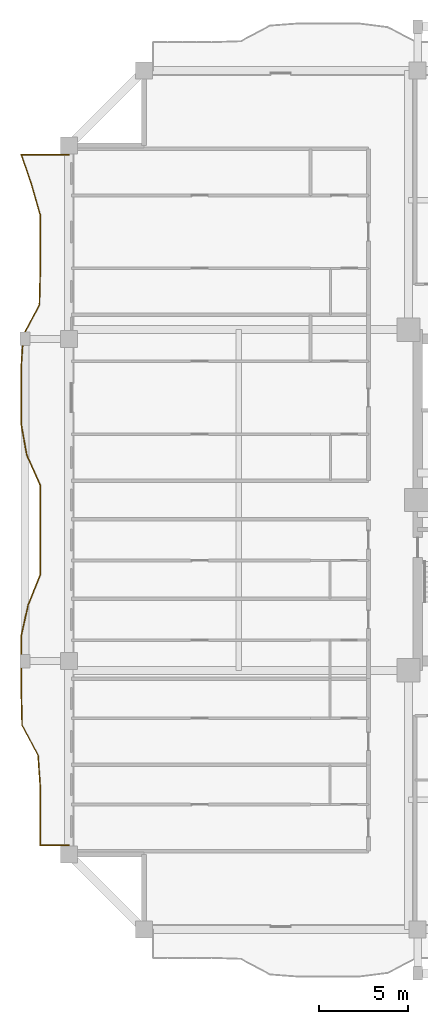
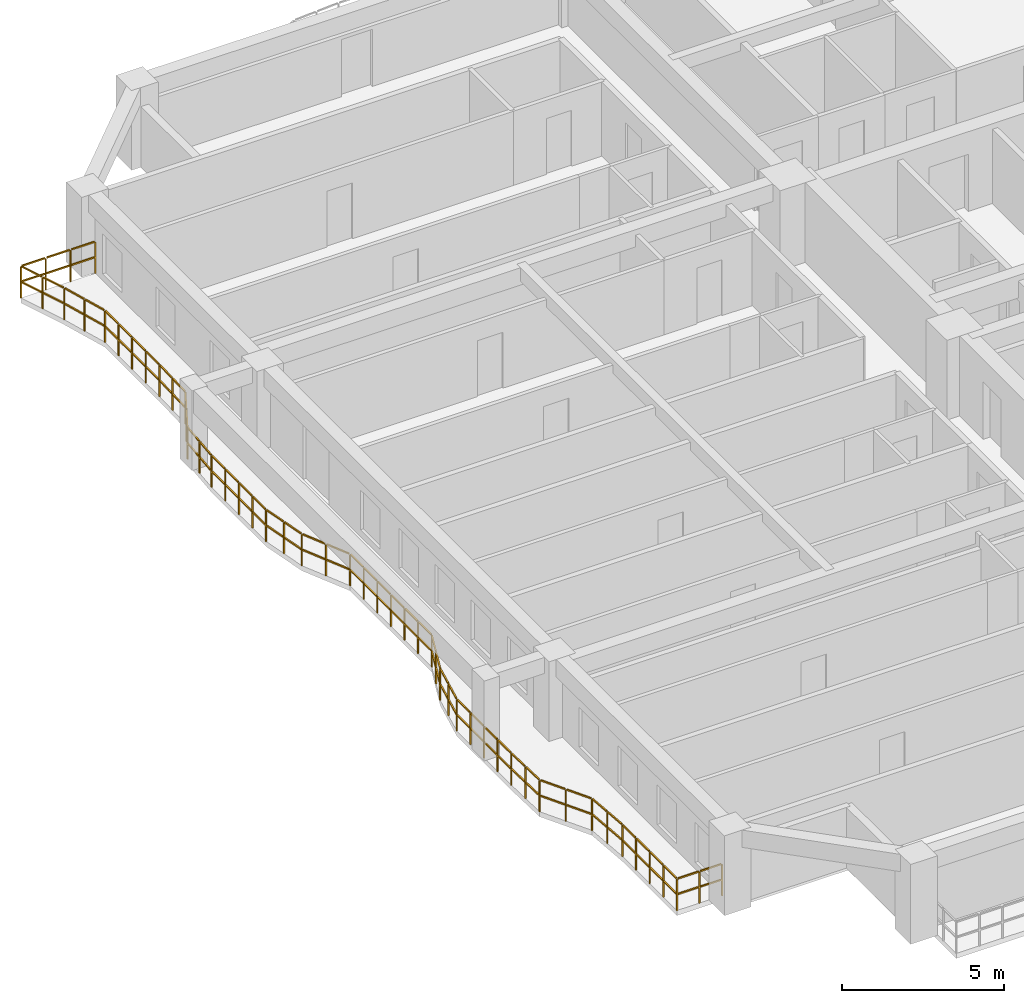
# One storey, part 10 of 13: 1 railing.
"""IFC4 building model written with IfcOpenShell, lengths in metres."""

from ifc_helpers import new_model, si_unit, direction, frame, origin, origin_2d, place, context, subcontext, project, spatial, rectangle, extrude, material, type_object, element, save


model = new_model("IFC4")

# Units and contexts
model_context = context("Model", 3, precision=1e-05, world=origin(), true_north=direction((0.0, 1.0)))
body_context = subcontext(model_context, "Body", "Model", "MODEL_VIEW")
ifc_project = project(units=[si_unit("LENGTHUNIT", "METRE"), si_unit("AREAUNIT", "SQUARE_METRE"), si_unit("VOLUMEUNIT", "CUBIC_METRE"), si_unit("PLANEANGLEUNIT", "RADIAN"), si_unit("MASSUNIT", "GRAM", prefix="KILO")], contexts=[model_context])

# Site, building, storey
site_placement = place(None, origin())
site = spatial("IfcSite", under=ifc_project, at=site_placement, CompositionType="ELEMENT")
building_placement = place(site_placement, origin())
building = spatial("IfcBuilding", under=site, at=building_placement, Name="Saelheon Loggia Tower", CompositionType="ELEMENT")
storey_placement = place(building_placement, frame((0.0, 0.0, 129.75)))
storey = spatial("IfcBuildingStorey", under=building, at=storey_placement, Name="L41", CompositionType="ELEMENT", Elevation=129.75)

# Railing
ifc_material = material(Name="Architectural Precast Concrete and Laminated Glass Guard", Category="concrete")
railing_type = type_object("IfcRailingType", Name="Guard_Loggia_RL_LOG", PredefinedType="BALUSTRADE", material=ifc_material)
railing_placement = place(storey_placement, frame((12.0, 46.300048828125, 0.0)))
element("IfcRailing", 1, at=railing_placement, inside=storey, type_object=railing_type, Name="L41 West Loggia Balustrade", PredefinedType="BALUSTRADE", context=body_context, shape_type="SweptSolid", body=[
    extrude(rectangle(XDim=0.048095703125, YDim=0.048095703125, at=origin_2d()), frame((-0.033203125, 0.0, 1.19580078125), z_axis=(-1.0, 0.0, 0.0), x_axis=(0.0, -1.0, 0.0)), (0.0, 0.0, 1.0), 0.81689453125),
    extrude(rectangle(XDim=0.048095703125, YDim=0.048095703125, at=origin_2d()), frame((-0.033203125, 0.0, 0.60986328125), z_axis=(-1.0, 0.0, 0.0), x_axis=(0.0, -1.0, 0.0)), (0.0, 0.0, 1.0), 0.81689453125),
    extrude(rectangle(XDim=0.048095703125, YDim=0.048095703125, at=origin_2d()), frame((-0.91650390625, 0.0, 1.19580078125), z_axis=(-1.0, 0.0, 0.0), x_axis=(0.0, -1.0, 0.0)), (0.0, 0.0, 1.0), 0.81689453125),
    extrude(rectangle(XDim=0.048095703125, YDim=0.048095703125, at=origin_2d()), frame((-0.91650390625, 0.0, 0.60986328125), z_axis=(-1.0, 0.0, 0.0), x_axis=(0.0, -1.0, 0.0)), (0.0, 0.0, 1.0), 0.81689453125),
    extrude(rectangle(XDim=0.048095703125, YDim=0.048095703125, at=origin_2d()), frame((-1.7998046875, 0.0, 1.19580078125), z_axis=(-1.0, 0.0, 0.0), x_axis=(0.0, -1.0, 0.0)), (0.0, 0.0, 1.0), 0.81689453125),
    extrude(rectangle(XDim=0.048095703125, YDim=0.048095703125, at=origin_2d()), frame((-1.7998046875, 0.0, 0.60986328125), z_axis=(-1.0, 0.0, 0.0), x_axis=(0.0, -1.0, 0.0)), (0.0, 0.0, 1.0), 0.81689453125),
    extrude(rectangle(XDim=0.048095703125, YDim=0.048095703125, at=origin_2d()), frame((-2.63916015625, -0.031494140625, 1.19580078125), z_axis=(0.321347076039, -0.946961486398, 0.0), x_axis=(0.946961486398, 0.321347076039, 0.0)), (0.0, 0.0, 1.0), 0.81982421875),
    extrude(rectangle(XDim=0.048095703125, YDim=0.048095703125, at=origin_2d()), frame((-2.63916015625, -0.031494140625, 0.60986328125), z_axis=(0.321347076039, -0.946961486398, 0.0), x_axis=(0.946961486398, 0.321347076039, 0.0)), (0.0, 0.0, 1.0), 0.81982421875),
    extrude(rectangle(XDim=0.048095703125, YDim=0.048095703125, at=origin_2d()), frame((-2.3544921875, -0.87060546875, 1.19580078125), z_axis=(0.321347076039, -0.946961486398, 0.0), x_axis=(0.946961486398, 0.321347076039, 0.0)), (0.0, 0.0, 1.0), 0.81982421875),
    extrude(rectangle(XDim=0.048095703125, YDim=0.048095703125, at=origin_2d()), frame((-2.3544921875, -0.87060546875, 0.60986328125), z_axis=(0.321347076039, -0.946961486398, 0.0), x_axis=(0.946961486398, 0.321347076039, 0.0)), (0.0, 0.0, 1.0), 0.81982421875),
    extrude(rectangle(XDim=0.048095703125, YDim=0.048095703125, at=origin_2d()), frame((-2.0712890625, -1.71044921875, 1.19580078125), z_axis=(0.275146022747, -0.961402447556, 0.0), x_axis=(0.961402447556, 0.275146022747, 0.0)), (0.0, 0.0, 1.0), 0.80615234375),
    extrude(rectangle(XDim=0.048095703125, YDim=0.048095703125, at=origin_2d()), frame((-2.0712890625, -1.71044921875, 0.60986328125), z_axis=(0.275146022747, -0.961402447556, 0.0), x_axis=(0.961402447556, 0.275146022747, 0.0)), (0.0, 0.0, 1.0), 0.80615234375),
    extrude(rectangle(XDim=0.048095703125, YDim=0.048095703125, at=origin_2d()), frame((-1.8310546875, -2.54931640625, 1.19580078125), z_axis=(0.275146022747, -0.961402447556, 0.0), x_axis=(0.961402447556, 0.275146022747, 0.0)), (0.0, 0.0, 1.0), 0.80615234375),
    extrude(rectangle(XDim=0.048095703125, YDim=0.048095703125, at=origin_2d()), frame((-1.8310546875, -2.54931640625, 0.60986328125), z_axis=(0.275146022747, -0.961402447556, 0.0), x_axis=(0.961402447556, 0.275146022747, 0.0)), (0.0, 0.0, 1.0), 0.80615234375),
    extrude(rectangle(XDim=0.048095703125, YDim=0.048095703125, at=origin_2d()), frame((-1.60009765625, -3.3896484375, 1.19580078125), z_axis=(0.0, -1.0, 0.0), x_axis=(1.0, 0.0, 0.0)), (0.0, 0.0, 1.0), 0.772705078125),
    extrude(rectangle(XDim=0.048095703125, YDim=0.048095703125, at=origin_2d()), frame((-1.60009765625, -3.3896484375, 0.60986328125), z_axis=(0.0, -1.0, 0.0), x_axis=(1.0, 0.0, 0.0)), (0.0, 0.0, 1.0), 0.772705078125),
    extrude(rectangle(XDim=0.048095703125, YDim=0.048095703125, at=origin_2d()), frame((-1.60009765625, -4.22900390625, 1.19580078125), z_axis=(0.0, -1.0, 0.0), x_axis=(1.0, 0.0, 0.0)), (0.0, 0.0, 1.0), 0.772705078125),
    extrude(rectangle(XDim=0.048095703125, YDim=0.048095703125, at=origin_2d()), frame((-1.60009765625, -4.22900390625, 0.60986328125), z_axis=(0.0, -1.0, 0.0), x_axis=(1.0, 0.0, 0.0)), (0.0, 0.0, 1.0), 0.772705078125),
    extrude(rectangle(XDim=0.048095703125, YDim=0.048095703125, at=origin_2d()), frame((-1.60009765625, -5.068115234375, 1.19580078125), z_axis=(0.0, -1.0, 0.0), x_axis=(1.0, 0.0, 0.0)), (0.0, 0.0, 1.0), 0.772705078125),
    extrude(rectangle(XDim=0.048095703125, YDim=0.048095703125, at=origin_2d()), frame((-1.60009765625, -5.068115234375, 0.60986328125), z_axis=(0.0, -1.0, 0.0), x_axis=(1.0, 0.0, 0.0)), (0.0, 0.0, 1.0), 0.772705078125),
    extrude(rectangle(XDim=0.048095703125, YDim=0.048095703125, at=origin_2d()), frame((-1.60009765625, -5.9072265625, 1.19580078125), z_axis=(0.0, -1.0, 0.0), x_axis=(1.0, 0.0, 0.0)), (0.0, 0.0, 1.0), 0.772705078125),
    extrude(rectangle(XDim=0.048095703125, YDim=0.048095703125, at=origin_2d()), frame((-1.60009765625, -5.9072265625, 0.60986328125), z_axis=(0.0, -1.0, 0.0), x_axis=(1.0, 0.0, 0.0)), (0.0, 0.0, 1.0), 0.772705078125),
    extrude(rectangle(XDim=0.048095703125, YDim=0.048095703125, at=origin_2d()), frame((-1.600830078125, -6.746337890625, 1.19580078125), z_axis=(-0.024723310515, -0.999694332242, 0.0), x_axis=(0.999694332242, -0.024723310515, 0.0)), (0.0, 0.0, 1.0), 0.77294921875),
    extrude(rectangle(XDim=0.048095703125, YDim=0.048095703125, at=origin_2d()), frame((-1.600830078125, -6.746337890625, 0.60986328125), z_axis=(-0.024723310515, -0.999694332242, 0.0), x_axis=(0.999694332242, -0.024723310515, 0.0)), (0.0, 0.0, 1.0), 0.77294921875),
    extrude(rectangle(XDim=0.048095703125, YDim=0.048095703125, at=origin_2d()), frame((-1.62158203125, -7.58544921875, 1.19580078125), z_axis=(-0.024723310515, -0.999694332242, 0.0), x_axis=(0.999694332242, -0.024723310515, 0.0)), (0.0, 0.0, 1.0), 0.77294921875),
    extrude(rectangle(XDim=0.048095703125, YDim=0.048095703125, at=origin_2d()), frame((-1.62158203125, -7.58544921875, 0.60986328125), z_axis=(-0.024723310515, -0.999694332242, 0.0), x_axis=(0.999694332242, -0.024723310515, 0.0)), (0.0, 0.0, 1.0), 0.77294921875),
    extrude(rectangle(XDim=0.048095703125, YDim=0.048095703125, at=origin_2d()), frame((-1.6572265625, -8.420654296875, 1.19580078125), z_axis=(-0.470275016821, -0.882519919636, 0.0), x_axis=(0.882519919636, -0.470275016821, 0.0)), (0.0, 0.0, 1.0), 0.88427734375),
    extrude(rectangle(XDim=0.048095703125, YDim=0.048095703125, at=origin_2d()), frame((-1.6572265625, -8.420654296875, 0.60986328125), z_axis=(-0.470275016821, -0.882519919636, 0.0), x_axis=(0.882519919636, -0.470275016821, 0.0)), (0.0, 0.0, 1.0), 0.88427734375),
    extrude(rectangle(XDim=0.048095703125, YDim=0.048095703125, at=origin_2d()), frame((-2.1044921875, -9.259765625, 1.19580078125), z_axis=(-0.470275016821, -0.882519919636, 0.0), x_axis=(0.882519919636, -0.470275016821, 0.0)), (0.0, 0.0, 1.0), 0.88427734375),
    extrude(rectangle(XDim=0.048095703125, YDim=0.048095703125, at=origin_2d()), frame((-2.1044921875, -9.259765625, 0.60986328125), z_axis=(-0.470275016821, -0.882519919636, 0.0), x_axis=(0.882519919636, -0.470275016821, 0.0)), (0.0, 0.0, 1.0), 0.88427734375),
    extrude(rectangle(XDim=0.048095703125, YDim=0.048095703125, at=origin_2d()), frame((-2.5380859375, -10.102783203125, 1.19580078125), z_axis=(-0.06778091462, -0.997700229334, 0.0), x_axis=(0.997700229334, -0.06778091462, 0.0)), (0.0, 0.0, 1.0), 0.774658203125),
    extrude(rectangle(XDim=0.048095703125, YDim=0.048095703125, at=origin_2d()), frame((-2.5380859375, -10.102783203125, 0.60986328125), z_axis=(-0.06778091462, -0.997700229334, 0.0), x_axis=(0.997700229334, -0.06778091462, 0.0)), (0.0, 0.0, 1.0), 0.774658203125),
    extrude(rectangle(XDim=0.048095703125, YDim=0.048095703125, at=origin_2d()), frame((-2.59521484375, -10.94189453125, 1.19580078125), z_axis=(-0.06778091462, -0.997700229334, 0.0), x_axis=(0.997700229334, -0.06778091462, 0.0)), (0.0, 0.0, 1.0), 0.774658203125),
    extrude(rectangle(XDim=0.048095703125, YDim=0.048095703125, at=origin_2d()), frame((-2.59521484375, -10.94189453125, 0.60986328125), z_axis=(-0.06778091462, -0.997700229334, 0.0), x_axis=(0.997700229334, -0.06778091462, 0.0)), (0.0, 0.0, 1.0), 0.774658203125),
    extrude(rectangle(XDim=0.048095703125, YDim=0.048095703125, at=origin_2d()), frame((-2.64990234375, -11.781005859375, 1.19580078125), z_axis=(0.0, -1.0, 0.0), x_axis=(1.0, 0.0, 0.0)), (0.0, 0.0, 1.0), 0.772705078125),
    extrude(rectangle(XDim=0.048095703125, YDim=0.048095703125, at=origin_2d()), frame((-2.64990234375, -11.781005859375, 0.60986328125), z_axis=(0.0, -1.0, 0.0), x_axis=(1.0, 0.0, 0.0)), (0.0, 0.0, 1.0), 0.772705078125),
    extrude(rectangle(XDim=0.048095703125, YDim=0.048095703125, at=origin_2d()), frame((-2.64990234375, -12.620361328125, 1.19580078125), z_axis=(0.0, -1.0, 0.0), x_axis=(1.0, 0.0, 0.0)), (0.0, 0.0, 1.0), 0.772705078125),
    extrude(rectangle(XDim=0.048095703125, YDim=0.048095703125, at=origin_2d()), frame((-2.64990234375, -12.620361328125, 0.60986328125), z_axis=(0.0, -1.0, 0.0), x_axis=(1.0, 0.0, 0.0)), (0.0, 0.0, 1.0), 0.772705078125),
    extrude(rectangle(XDim=0.048095703125, YDim=0.048095703125, at=origin_2d()), frame((-2.64990234375, -13.45947265625, 1.19580078125), z_axis=(0.0, -1.0, 0.0), x_axis=(1.0, 0.0, 0.0)), (0.0, 0.0, 1.0), 0.7724609375),
    extrude(rectangle(XDim=0.048095703125, YDim=0.048095703125, at=origin_2d()), frame((-2.64990234375, -13.45947265625, 0.60986328125), z_axis=(0.0, -1.0, 0.0), x_axis=(1.0, 0.0, 0.0)), (0.0, 0.0, 1.0), 0.7724609375),
    extrude(rectangle(XDim=0.048095703125, YDim=0.048095703125, at=origin_2d()), frame((-2.64990234375, -14.298583984375, 1.19580078125), z_axis=(0.0, -1.0, 0.0), x_axis=(1.0, 0.0, 0.0)), (0.0, 0.0, 1.0), 0.7724609375),
    extrude(rectangle(XDim=0.048095703125, YDim=0.048095703125, at=origin_2d()), frame((-2.64990234375, -14.298583984375, 0.60986328125), z_axis=(0.0, -1.0, 0.0), x_axis=(1.0, 0.0, 0.0)), (0.0, 0.0, 1.0), 0.7724609375),
    extrude(rectangle(XDim=0.048095703125, YDim=0.048095703125, at=origin_2d()), frame((-2.64404296875, -15.136962890625, 1.19580078125), z_axis=(0.176390201741, -0.984320322217, 0.0), x_axis=(0.984320322217, 0.176390201741, 0.0)), (0.0, 0.0, 1.0), 0.7861328125),
    extrude(rectangle(XDim=0.048095703125, YDim=0.048095703125, at=origin_2d()), frame((-2.64404296875, -15.136962890625, 0.60986328125), z_axis=(0.176390201741, -0.984320322217, 0.0), x_axis=(0.984320322217, 0.176390201741, 0.0)), (0.0, 0.0, 1.0), 0.7861328125),
    extrude(rectangle(XDim=0.048095703125, YDim=0.048095703125, at=origin_2d()), frame((-2.49365234375, -15.97607421875, 1.19580078125), z_axis=(0.176390201741, -0.984320322217, 0.0), x_axis=(0.984320322217, 0.176390201741, 0.0)), (0.0, 0.0, 1.0), 0.7861328125),
    extrude(rectangle(XDim=0.048095703125, YDim=0.048095703125, at=origin_2d()), frame((-2.49365234375, -15.97607421875, 0.60986328125), z_axis=(0.176390201741, -0.984320322217, 0.0), x_axis=(0.984320322217, 0.176390201741, 0.0)), (0.0, 0.0, 1.0), 0.7861328125),
    extrude(rectangle(XDim=0.048095703125, YDim=0.048095703125, at=origin_2d()), frame((-2.335693359375, -16.81298828125, 1.19580078125), z_axis=(0.407567762137, -0.913174966404, 0.0), x_axis=(0.913174966404, 0.407567762137, 0.0)), (0.0, 0.0, 1.0), 0.8525390625),
    extrude(rectangle(XDim=0.048095703125, YDim=0.048095703125, at=origin_2d()), frame((-2.335693359375, -16.81298828125, 0.60986328125), z_axis=(0.407567762137, -0.913174966404, 0.0), x_axis=(0.913174966404, 0.407567762137, 0.0)), (0.0, 0.0, 1.0), 0.8525390625),
    extrude(rectangle(XDim=0.048095703125, YDim=0.048095703125, at=origin_2d()), frame((-1.961181640625, -17.652099609375, 1.19580078125), z_axis=(0.407567762137, -0.913174966404, 0.0), x_axis=(0.913174966404, 0.407567762137, 0.0)), (0.0, 0.0, 1.0), 0.8525390625),
    extrude(rectangle(XDim=0.048095703125, YDim=0.048095703125, at=origin_2d()), frame((-1.961181640625, -17.652099609375, 0.60986328125), z_axis=(0.407567762137, -0.913174966404, 0.0), x_axis=(0.913174966404, 0.407567762137, 0.0)), (0.0, 0.0, 1.0), 0.8525390625),
    extrude(rectangle(XDim=0.048095703125, YDim=0.048095703125, at=origin_2d()), frame((-1.60009765625, -18.494140625, 1.19580078125), z_axis=(0.0, -1.0, 0.0), x_axis=(1.0, 0.0, 0.0)), (0.0, 0.0, 1.0), 0.772705078125),
    extrude(rectangle(XDim=0.048095703125, YDim=0.048095703125, at=origin_2d()), frame((-1.60009765625, -18.494140625, 0.60986328125), z_axis=(0.0, -1.0, 0.0), x_axis=(1.0, 0.0, 0.0)), (0.0, 0.0, 1.0), 0.772705078125),
    extrude(rectangle(XDim=0.048095703125, YDim=0.048095703125, at=origin_2d()), frame((-1.60009765625, -19.333251953125, 1.19580078125), z_axis=(0.0, -1.0, 0.0), x_axis=(1.0, 0.0, 0.0)), (0.0, 0.0, 1.0), 0.772705078125),
    extrude(rectangle(XDim=0.048095703125, YDim=0.048095703125, at=origin_2d()), frame((-1.60009765625, -19.333251953125, 0.60986328125), z_axis=(0.0, -1.0, 0.0), x_axis=(1.0, 0.0, 0.0)), (0.0, 0.0, 1.0), 0.772705078125),
    extrude(rectangle(XDim=0.048095703125, YDim=0.048095703125, at=origin_2d()), frame((-1.60009765625, -20.17236328125, 1.19580078125), z_axis=(0.0, -1.0, 0.0), x_axis=(1.0, 0.0, 0.0)), (0.0, 0.0, 1.0), 0.772705078125),
    extrude(rectangle(XDim=0.048095703125, YDim=0.048095703125, at=origin_2d()), frame((-1.60009765625, -20.17236328125, 0.60986328125), z_axis=(0.0, -1.0, 0.0), x_axis=(1.0, 0.0, 0.0)), (0.0, 0.0, 1.0), 0.772705078125),
    extrude(rectangle(XDim=0.048095703125, YDim=0.048095703125, at=origin_2d()), frame((-1.60009765625, -21.011474609375, 1.19580078125), z_axis=(0.0, -1.0, 0.0), x_axis=(1.0, 0.0, 0.0)), (0.0, 0.0, 1.0), 0.772705078125),
    extrude(rectangle(XDim=0.048095703125, YDim=0.048095703125, at=origin_2d()), frame((-1.60009765625, -21.011474609375, 0.60986328125), z_axis=(0.0, -1.0, 0.0), x_axis=(1.0, 0.0, 0.0)), (0.0, 0.0, 1.0), 0.772705078125),
    extrude(rectangle(XDim=0.048095703125, YDim=0.048095703125, at=origin_2d()), frame((-1.60009765625, -21.8505859375, 1.19580078125), z_axis=(0.0, -1.0, 0.0), x_axis=(1.0, 0.0, 0.0)), (0.0, 0.0, 1.0), 0.772705078125),
    extrude(rectangle(XDim=0.048095703125, YDim=0.048095703125, at=origin_2d()), frame((-1.60009765625, -21.8505859375, 0.60986328125), z_axis=(0.0, -1.0, 0.0), x_axis=(1.0, 0.0, 0.0)), (0.0, 0.0, 1.0), 0.772705078125),
    extrude(rectangle(XDim=0.048095703125, YDim=0.048095703125, at=origin_2d()), frame((-1.60009765625, -22.68994140625, 1.19580078125), z_axis=(0.0, -1.0, 0.0), x_axis=(1.0, 0.0, 0.0)), (0.0, 0.0, 1.0), 0.772705078125),
    extrude(rectangle(XDim=0.048095703125, YDim=0.048095703125, at=origin_2d()), frame((-1.60009765625, -22.68994140625, 0.60986328125), z_axis=(0.0, -1.0, 0.0), x_axis=(1.0, 0.0, 0.0)), (0.0, 0.0, 1.0), 0.772705078125),
    extrude(rectangle(XDim=0.048095703125, YDim=0.048095703125, at=origin_2d()), frame((-1.612548828125, -23.526611328125, 1.19580078125), z_axis=(-0.371483836575, -0.928439421375, 0.0), x_axis=(0.928439421375, -0.371483836575, 0.0)), (0.0, 0.0, 1.0), 0.837158203125),
    extrude(rectangle(XDim=0.048095703125, YDim=0.048095703125, at=origin_2d()), frame((-1.612548828125, -23.526611328125, 0.60986328125), z_axis=(-0.371483836575, -0.928439421375, 0.0), x_axis=(0.928439421375, -0.371483836575, 0.0)), (0.0, 0.0, 1.0), 0.837158203125),
    extrude(rectangle(XDim=0.048095703125, YDim=0.048095703125, at=origin_2d()), frame((-1.9482421875, -24.36572265625, 1.19580078125), z_axis=(-0.371483836575, -0.928439421375, 0.0), x_axis=(0.928439421375, -0.371483836575, 0.0)), (0.0, 0.0, 1.0), 0.837158203125),
    extrude(rectangle(XDim=0.048095703125, YDim=0.048095703125, at=origin_2d()), frame((-1.9482421875, -24.36572265625, 0.60986328125), z_axis=(-0.371483836575, -0.928439421375, 0.0), x_axis=(0.928439421375, -0.371483836575, 0.0)), (0.0, 0.0, 1.0), 0.837158203125),
    extrude(rectangle(XDim=0.048095703125, YDim=0.048095703125, at=origin_2d()), frame((-2.27880859375, -25.206298828125, 1.19580078125), z_axis=(-0.219934224099, -0.975514703667, 0.0), x_axis=(0.975514703667, -0.219934224099, 0.0)), (0.0, 0.0, 1.0), 0.7939453125),
    extrude(rectangle(XDim=0.048095703125, YDim=0.048095703125, at=origin_2d()), frame((-2.27880859375, -25.206298828125, 0.60986328125), z_axis=(-0.219934224099, -0.975514703667, 0.0), x_axis=(0.975514703667, -0.219934224099, 0.0)), (0.0, 0.0, 1.0), 0.7939453125),
    extrude(rectangle(XDim=0.048095703125, YDim=0.048095703125, at=origin_2d()), frame((-2.468017578125, -26.04541015625, 1.19580078125), z_axis=(-0.219934224099, -0.975514703667, 0.0), x_axis=(0.975514703667, -0.219934224099, 0.0)), (0.0, 0.0, 1.0), 0.7939453125),
    extrude(rectangle(XDim=0.048095703125, YDim=0.048095703125, at=origin_2d()), frame((-2.468017578125, -26.04541015625, 0.60986328125), z_axis=(-0.219934224099, -0.975514703667, 0.0), x_axis=(0.975514703667, -0.219934224099, 0.0)), (0.0, 0.0, 1.0), 0.7939453125),
    extrude(rectangle(XDim=0.048095703125, YDim=0.048095703125, at=origin_2d()), frame((-2.64990234375, -26.885498046875, 1.19580078125), z_axis=(0.0, -1.0, 0.0), x_axis=(1.0, 0.0, 0.0)), (0.0, 0.0, 1.0), 0.772705078125),
    extrude(rectangle(XDim=0.048095703125, YDim=0.048095703125, at=origin_2d()), frame((-2.64990234375, -26.885498046875, 0.60986328125), z_axis=(0.0, -1.0, 0.0), x_axis=(1.0, 0.0, 0.0)), (0.0, 0.0, 1.0), 0.772705078125),
    extrude(rectangle(XDim=0.048095703125, YDim=0.048095703125, at=origin_2d()), frame((-2.64990234375, -27.724609375, 1.19580078125), z_axis=(0.0, -1.0, 0.0), x_axis=(1.0, 0.0, 0.0)), (0.0, 0.0, 1.0), 0.772705078125),
    extrude(rectangle(XDim=0.048095703125, YDim=0.048095703125, at=origin_2d()), frame((-2.64990234375, -27.724609375, 0.60986328125), z_axis=(0.0, -1.0, 0.0), x_axis=(1.0, 0.0, 0.0)), (0.0, 0.0, 1.0), 0.772705078125),
    extrude(rectangle(XDim=0.048095703125, YDim=0.048095703125, at=origin_2d()), frame((-2.64990234375, -28.563720703125, 1.19580078125), z_axis=(0.0, -1.0, 0.0), x_axis=(1.0, 0.0, 0.0)), (0.0, 0.0, 1.0), 0.772705078125),
    extrude(rectangle(XDim=0.048095703125, YDim=0.048095703125, at=origin_2d()), frame((-2.64990234375, -28.563720703125, 0.60986328125), z_axis=(0.0, -1.0, 0.0), x_axis=(1.0, 0.0, 0.0)), (0.0, 0.0, 1.0), 0.772705078125),
    extrude(rectangle(XDim=0.048095703125, YDim=0.048095703125, at=origin_2d()), frame((-2.64990234375, -29.40283203125, 1.19580078125), z_axis=(0.0, -1.0, 0.0), x_axis=(1.0, 0.0, 0.0)), (0.0, 0.0, 1.0), 0.772705078125),
    extrude(rectangle(XDim=0.048095703125, YDim=0.048095703125, at=origin_2d()), frame((-2.64990234375, -29.40283203125, 0.60986328125), z_axis=(0.0, -1.0, 0.0), x_axis=(1.0, 0.0, 0.0)), (0.0, 0.0, 1.0), 0.772705078125),
    extrude(rectangle(XDim=0.048095703125, YDim=0.048095703125, at=origin_2d()), frame((-2.649169921875, -30.241943359375, 1.19580078125), z_axis=(0.023851228559, -0.999715518983, 0.0), x_axis=(0.999715518983, 0.023851228559, 0.0)), (0.0, 0.0, 1.0), 0.77294921875),
    extrude(rectangle(XDim=0.048095703125, YDim=0.048095703125, at=origin_2d()), frame((-2.649169921875, -30.241943359375, 0.60986328125), z_axis=(0.023851228559, -0.999715518983, 0.0), x_axis=(0.999715518983, 0.023851228559, 0.0)), (0.0, 0.0, 1.0), 0.77294921875),
    extrude(rectangle(XDim=0.048095703125, YDim=0.048095703125, at=origin_2d()), frame((-2.629150390625, -31.0810546875, 1.19580078125), z_axis=(0.023851228559, -0.999715518983, 0.0), x_axis=(0.999715518983, 0.023851228559, 0.0)), (0.0, 0.0, 1.0), 0.77294921875),
    extrude(rectangle(XDim=0.048095703125, YDim=0.048095703125, at=origin_2d()), frame((-2.629150390625, -31.0810546875, 0.60986328125), z_axis=(0.023851228559, -0.999715518983, 0.0), x_axis=(0.999715518983, 0.023851228559, 0.0)), (0.0, 0.0, 1.0), 0.77294921875),
    extrude(rectangle(XDim=0.048095703125, YDim=0.048095703125, at=origin_2d()), frame((-2.59423828125, -31.916259765625, 1.19580078125), z_axis=(0.4706748388, -0.882306747181, 0.0), x_axis=(0.882306747181, 0.4706748388, 0.0)), (0.0, 0.0, 1.0), 0.884521484375),
    extrude(rectangle(XDim=0.048095703125, YDim=0.048095703125, at=origin_2d()), frame((-2.59423828125, -31.916259765625, 0.60986328125), z_axis=(0.4706748388, -0.882306747181, 0.0), x_axis=(0.882306747181, 0.4706748388, 0.0)), (0.0, 0.0, 1.0), 0.884521484375),
    extrude(rectangle(XDim=0.048095703125, YDim=0.048095703125, at=origin_2d()), frame((-2.146484375, -32.75537109375, 1.19580078125), z_axis=(0.4706748388, -0.882306747181, 0.0), x_axis=(0.882306747181, 0.4706748388, 0.0)), (0.0, 0.0, 1.0), 0.884521484375),
    extrude(rectangle(XDim=0.048095703125, YDim=0.048095703125, at=origin_2d()), frame((-2.146484375, -32.75537109375, 0.60986328125), z_axis=(0.4706748388, -0.882306747181, 0.0), x_axis=(0.882306747181, 0.4706748388, 0.0)), (0.0, 0.0, 1.0), 0.884521484375),
    extrude(rectangle(XDim=0.048095703125, YDim=0.048095703125, at=origin_2d()), frame((-1.71240234375, -33.598388671875, 1.19580078125), z_axis=(0.068059999537, -0.997681229884, 0.0), x_axis=(0.997681229884, 0.068059999537, 0.0)), (0.0, 0.0, 1.0), 0.774658203125),
    extrude(rectangle(XDim=0.048095703125, YDim=0.048095703125, at=origin_2d()), frame((-1.71240234375, -33.598388671875, 0.60986328125), z_axis=(0.068059999537, -0.997681229884, 0.0), x_axis=(0.997681229884, 0.068059999537, 0.0)), (0.0, 0.0, 1.0), 0.774658203125),
    extrude(rectangle(XDim=0.048095703125, YDim=0.048095703125, at=origin_2d()), frame((-1.655029296875, -34.4375, 1.19580078125), z_axis=(0.068059999537, -0.997681229884, 0.0), x_axis=(0.997681229884, 0.068059999537, 0.0)), (0.0, 0.0, 1.0), 0.774658203125),
    extrude(rectangle(XDim=0.048095703125, YDim=0.048095703125, at=origin_2d()), frame((-1.655029296875, -34.4375, 0.60986328125), z_axis=(0.068059999537, -0.997681229884, 0.0), x_axis=(0.997681229884, 0.068059999537, 0.0)), (0.0, 0.0, 1.0), 0.774658203125),
    extrude(rectangle(XDim=0.048095703125, YDim=0.048095703125, at=origin_2d()), frame((-1.60009765625, -35.27685546875, 1.19580078125), z_axis=(0.0, -1.0, 0.0), x_axis=(1.0, 0.0, 0.0)), (0.0, 0.0, 1.0), 0.7724609375),
    extrude(rectangle(XDim=0.048095703125, YDim=0.048095703125, at=origin_2d()), frame((-1.60009765625, -35.27685546875, 0.60986328125), z_axis=(0.0, -1.0, 0.0), x_axis=(1.0, 0.0, 0.0)), (0.0, 0.0, 1.0), 0.7724609375),
    extrude(rectangle(XDim=0.048095703125, YDim=0.048095703125, at=origin_2d()), frame((-1.60009765625, -36.115966796875, 1.19580078125), z_axis=(0.0, -1.0, 0.0), x_axis=(1.0, 0.0, 0.0)), (0.0, 0.0, 1.0), 0.7724609375),
    extrude(rectangle(XDim=0.048095703125, YDim=0.048095703125, at=origin_2d()), frame((-1.60009765625, -36.115966796875, 0.60986328125), z_axis=(0.0, -1.0, 0.0), x_axis=(1.0, 0.0, 0.0)), (0.0, 0.0, 1.0), 0.7724609375),
    extrude(rectangle(XDim=0.048095703125, YDim=0.048095703125, at=origin_2d()), frame((-1.60009765625, -36.954833984375, 1.19580078125), z_axis=(0.0, -1.0, 0.0), x_axis=(1.0, 0.0, 0.0)), (0.0, 0.0, 1.0), 0.772705078125),
    extrude(rectangle(XDim=0.048095703125, YDim=0.048095703125, at=origin_2d()), frame((-1.60009765625, -36.954833984375, 0.60986328125), z_axis=(0.0, -1.0, 0.0), x_axis=(1.0, 0.0, 0.0)), (0.0, 0.0, 1.0), 0.772705078125),
    extrude(rectangle(XDim=0.048095703125, YDim=0.048095703125, at=origin_2d()), frame((-1.60009765625, -37.794189453125, 1.19580078125), z_axis=(0.0, -1.0, 0.0), x_axis=(1.0, 0.0, 0.0)), (0.0, 0.0, 1.0), 0.772705078125),
    extrude(rectangle(XDim=0.048095703125, YDim=0.048095703125, at=origin_2d()), frame((-1.60009765625, -37.794189453125, 0.60986328125), z_axis=(0.0, -1.0, 0.0), x_axis=(1.0, 0.0, 0.0)), (0.0, 0.0, 1.0), 0.772705078125),
    extrude(rectangle(XDim=0.048095703125, YDim=0.048095703125, at=origin_2d()), frame((-1.56689453125, -38.60009765625, 1.19580078125), z_axis=(1.0, 0.0, 0.0), x_axis=(0.0, 1.0, 0.0)), (0.0, 0.0, 1.0), 0.733642578125),
    extrude(rectangle(XDim=0.048095703125, YDim=0.048095703125, at=origin_2d()), frame((-1.56689453125, -38.60009765625, 0.60986328125), z_axis=(1.0, 0.0, 0.0), x_axis=(0.0, 1.0, 0.0)), (0.0, 0.0, 1.0), 0.733642578125),
    extrude(rectangle(XDim=0.048095703125, YDim=0.048095703125, at=origin_2d()), frame((-0.766845703125, -38.60009765625, 1.19580078125), z_axis=(1.0, 0.0, 0.0), x_axis=(0.0, 1.0, 0.0)), (0.0, 0.0, 1.0), 0.733642578125),
    extrude(rectangle(XDim=0.048095703125, YDim=0.048095703125, at=origin_2d()), frame((-0.766845703125, -38.60009765625, 0.60986328125), z_axis=(1.0, 0.0, 0.0), x_axis=(0.0, 1.0, 0.0)), (0.0, 0.0, 1.0), 0.733642578125),
    extrude(rectangle(XDim=0.0419921875, YDim=0.0419921875, at=origin_2d()), origin(), (0.0, 0.0, 1.0), 1.16796875),
    extrude(rectangle(XDim=0.0419921875, YDim=0.0419921875, at=origin_2d()), frame((-0.88330078125, 0.0, 0.0)), (0.0, 0.0, 1.0), 1.16796875),
    extrude(rectangle(XDim=0.0419921875, YDim=0.0419921875, at=origin_2d()), frame((-1.7666015625, 0.0, 0.0)), (0.0, 0.0, 1.0), 1.16796875),
    extrude(rectangle(XDim=0.0419921875, YDim=0.0419921875, at=origin_2d()), frame((-2.64990234375, 0.0, 0.0)), (0.0, 0.0, 1.0), 1.16796875),
    extrude(rectangle(XDim=0.0419921875, YDim=0.0419921875, at=origin_2d()), frame((-2.365234375, -0.83935546875, 0.0)), (0.0, 0.0, 1.0), 1.16796875),
    extrude(rectangle(XDim=0.0419921875, YDim=0.0419921875, at=origin_2d()), frame((-2.080322265625, -1.678466796875, 0.0)), (0.0, 0.0, 1.0), 1.16796875),
    extrude(rectangle(XDim=0.0419921875, YDim=0.0419921875, at=origin_2d()), frame((-1.84033203125, -2.517578125, 0.0)), (0.0, 0.0, 1.0), 1.16796875),
    extrude(rectangle(XDim=0.0419921875, YDim=0.0419921875, at=origin_2d()), frame((-1.60009765625, -3.3564453125, 0.0)), (0.0, 0.0, 1.0), 1.16796875),
    extrude(rectangle(XDim=0.0419921875, YDim=0.0419921875, at=origin_2d()), frame((-1.60009765625, -4.19580078125, 0.0)), (0.0, 0.0, 1.0), 1.16796875),
    extrude(rectangle(XDim=0.0419921875, YDim=0.0419921875, at=origin_2d()), frame((-1.60009765625, -5.034912109375, 0.0)), (0.0, 0.0, 1.0), 1.16796875),
    extrude(rectangle(XDim=0.0419921875, YDim=0.0419921875, at=origin_2d()), frame((-1.60009765625, -5.8740234375, 0.0)), (0.0, 0.0, 1.0), 1.16796875),
    extrude(rectangle(XDim=0.0419921875, YDim=0.0419921875, at=origin_2d()), frame((-1.60009765625, -6.713134765625, 0.0)), (0.0, 0.0, 1.0), 1.16796875),
    extrude(rectangle(XDim=0.0419921875, YDim=0.0419921875, at=origin_2d()), frame((-1.620849609375, -7.55224609375, 0.0)), (0.0, 0.0, 1.0), 1.16796875),
    extrude(rectangle(XDim=0.0419921875, YDim=0.0419921875, at=origin_2d()), frame((-1.6416015625, -8.391357421875, 0.0)), (0.0, 0.0, 1.0), 1.16796875),
    extrude(rectangle(XDim=0.0419921875, YDim=0.0419921875, at=origin_2d()), frame((-2.0888671875, -9.23046875, 0.0)), (0.0, 0.0, 1.0), 1.16796875),
    extrude(rectangle(XDim=0.0419921875, YDim=0.0419921875, at=origin_2d()), frame((-2.535888671875, -10.069580078125, 0.0)), (0.0, 0.0, 1.0), 1.16796875),
    extrude(rectangle(XDim=0.0419921875, YDim=0.0419921875, at=origin_2d()), frame((-2.5927734375, -10.90869140625, 0.0)), (0.0, 0.0, 1.0), 1.16796875),
    extrude(rectangle(XDim=0.0419921875, YDim=0.0419921875, at=origin_2d()), frame((-2.64990234375, -11.747802734375, 0.0)), (0.0, 0.0, 1.0), 1.16796875),
    extrude(rectangle(XDim=0.0419921875, YDim=0.0419921875, at=origin_2d()), frame((-2.64990234375, -12.5869140625, 0.0)), (0.0, 0.0, 1.0), 1.16796875),
    extrude(rectangle(XDim=0.0419921875, YDim=0.0419921875, at=origin_2d()), frame((-2.64990234375, -13.42626953125, 0.0)), (0.0, 0.0, 1.0), 1.16796875),
    extrude(rectangle(XDim=0.0419921875, YDim=0.0419921875, at=origin_2d()), frame((-2.64990234375, -14.26513671875, 0.0)), (0.0, 0.0, 1.0), 1.16796875),
    extrude(rectangle(XDim=0.0419921875, YDim=0.0419921875, at=origin_2d()), frame((-2.64990234375, -15.104248046875, 0.0)), (0.0, 0.0, 1.0), 1.16796875),
    extrude(rectangle(XDim=0.0419921875, YDim=0.0419921875, at=origin_2d()), frame((-2.49951171875, -15.943359375, 0.0)), (0.0, 0.0, 1.0), 1.16796875),
    extrude(rectangle(XDim=0.0419921875, YDim=0.0419921875, at=origin_2d()), frame((-2.34912109375, -16.78271484375, 0.0)), (0.0, 0.0, 1.0), 1.16796875),
    extrude(rectangle(XDim=0.0419921875, YDim=0.0419921875, at=origin_2d()), frame((-1.974609375, -17.621826171875, 0.0)), (0.0, 0.0, 1.0), 1.16796875),
    extrude(rectangle(XDim=0.0419921875, YDim=0.0419921875, at=origin_2d()), frame((-1.60009765625, -18.4609375, 0.0)), (0.0, 0.0, 1.0), 1.16796875),
    extrude(rectangle(XDim=0.0419921875, YDim=0.0419921875, at=origin_2d()), frame((-1.60009765625, -19.300048828125, 0.0)), (0.0, 0.0, 1.0), 1.16796875),
    extrude(rectangle(XDim=0.0419921875, YDim=0.0419921875, at=origin_2d()), frame((-1.60009765625, -20.13916015625, 0.0)), (0.0, 0.0, 1.0), 1.16796875),
    extrude(rectangle(XDim=0.0419921875, YDim=0.0419921875, at=origin_2d()), frame((-1.60009765625, -20.978271484375, 0.0)), (0.0, 0.0, 1.0), 1.16796875),
    extrude(rectangle(XDim=0.0419921875, YDim=0.0419921875, at=origin_2d()), frame((-1.60009765625, -21.8173828125, 0.0)), (0.0, 0.0, 1.0), 1.16796875),
    extrude(rectangle(XDim=0.0419921875, YDim=0.0419921875, at=origin_2d()), frame((-1.60009765625, -22.65673828125, 0.0)), (0.0, 0.0, 1.0), 1.16796875),
    extrude(rectangle(XDim=0.0419921875, YDim=0.0419921875, at=origin_2d()), frame((-1.60009765625, -23.495849609375, 0.0)), (0.0, 0.0, 1.0), 1.16796875),
    extrude(rectangle(XDim=0.0419921875, YDim=0.0419921875, at=origin_2d()), frame((-1.935791015625, -24.3349609375, 0.0)), (0.0, 0.0, 1.0), 1.16796875),
    extrude(rectangle(XDim=0.0419921875, YDim=0.0419921875, at=origin_2d()), frame((-2.271484375, -25.173828125, 0.0)), (0.0, 0.0, 1.0), 1.16796875),
    extrude(rectangle(XDim=0.0419921875, YDim=0.0419921875, at=origin_2d()), frame((-2.460693359375, -26.01318359375, 0.0)), (0.0, 0.0, 1.0), 1.16796875),
    extrude(rectangle(XDim=0.0419921875, YDim=0.0419921875, at=origin_2d()), frame((-2.64990234375, -26.852294921875, 0.0)), (0.0, 0.0, 1.0), 1.16796875),
    extrude(rectangle(XDim=0.0419921875, YDim=0.0419921875, at=origin_2d()), frame((-2.64990234375, -27.69140625, 0.0)), (0.0, 0.0, 1.0), 1.16796875),
    extrude(rectangle(XDim=0.0419921875, YDim=0.0419921875, at=origin_2d()), frame((-2.64990234375, -28.530517578125, 0.0)), (0.0, 0.0, 1.0), 1.16796875),
    extrude(rectangle(XDim=0.0419921875, YDim=0.0419921875, at=origin_2d()), frame((-2.64990234375, -29.36962890625, 0.0)), (0.0, 0.0, 1.0), 1.16796875),
    extrude(rectangle(XDim=0.0419921875, YDim=0.0419921875, at=origin_2d()), frame((-2.64990234375, -30.208740234375, 0.0)), (0.0, 0.0, 1.0), 1.16796875),
    extrude(rectangle(XDim=0.0419921875, YDim=0.0419921875, at=origin_2d()), frame((-2.6298828125, -31.0478515625, 0.0)), (0.0, 0.0, 1.0), 1.16796875),
    extrude(rectangle(XDim=0.0419921875, YDim=0.0419921875, at=origin_2d()), frame((-2.60986328125, -31.886962890625, 0.0)), (0.0, 0.0, 1.0), 1.16796875),
    extrude(rectangle(XDim=0.0419921875, YDim=0.0419921875, at=origin_2d()), frame((-2.162109375, -32.72607421875, 0.0)), (0.0, 0.0, 1.0), 1.16796875),
    extrude(rectangle(XDim=0.0419921875, YDim=0.0419921875, at=origin_2d()), frame((-1.714599609375, -33.565185546875, 0.0)), (0.0, 0.0, 1.0), 1.16796875),
    extrude(rectangle(XDim=0.0419921875, YDim=0.0419921875, at=origin_2d()), frame((-1.6572265625, -34.404296875, 0.0)), (0.0, 0.0, 1.0), 1.16796875),
    extrude(rectangle(XDim=0.0419921875, YDim=0.0419921875, at=origin_2d()), frame((-1.60009765625, -35.24365234375, 0.0)), (0.0, 0.0, 1.0), 1.16796875),
    extrude(rectangle(XDim=0.0419921875, YDim=0.0419921875, at=origin_2d()), frame((-1.60009765625, -36.08251953125, 0.0)), (0.0, 0.0, 1.0), 1.16796875),
    extrude(rectangle(XDim=0.0419921875, YDim=0.0419921875, at=origin_2d()), frame((-1.60009765625, -36.921630859375, 0.0)), (0.0, 0.0, 1.0), 1.16796875),
    extrude(rectangle(XDim=0.0419921875, YDim=0.0419921875, at=origin_2d()), frame((-1.60009765625, -37.7607421875, 0.0)), (0.0, 0.0, 1.0), 1.16796875),
    extrude(rectangle(XDim=0.0419921875, YDim=0.0419921875, at=origin_2d()), frame((-1.60009765625, -38.60009765625, 0.0)), (0.0, 0.0, 1.0), 1.16796875),
    extrude(rectangle(XDim=0.0419921875, YDim=0.0419921875, at=origin_2d()), frame((-0.800048828125, -38.60009765625, 0.0)), (0.0, 0.0, 1.0), 1.16796875),
    extrude(rectangle(XDim=0.0419921875, YDim=0.0419921875, at=origin_2d()), frame((0.0, -38.60009765625, 0.0)), (0.0, 0.0, 1.0), 1.16796875),
])

save(model, "model.ifc")
